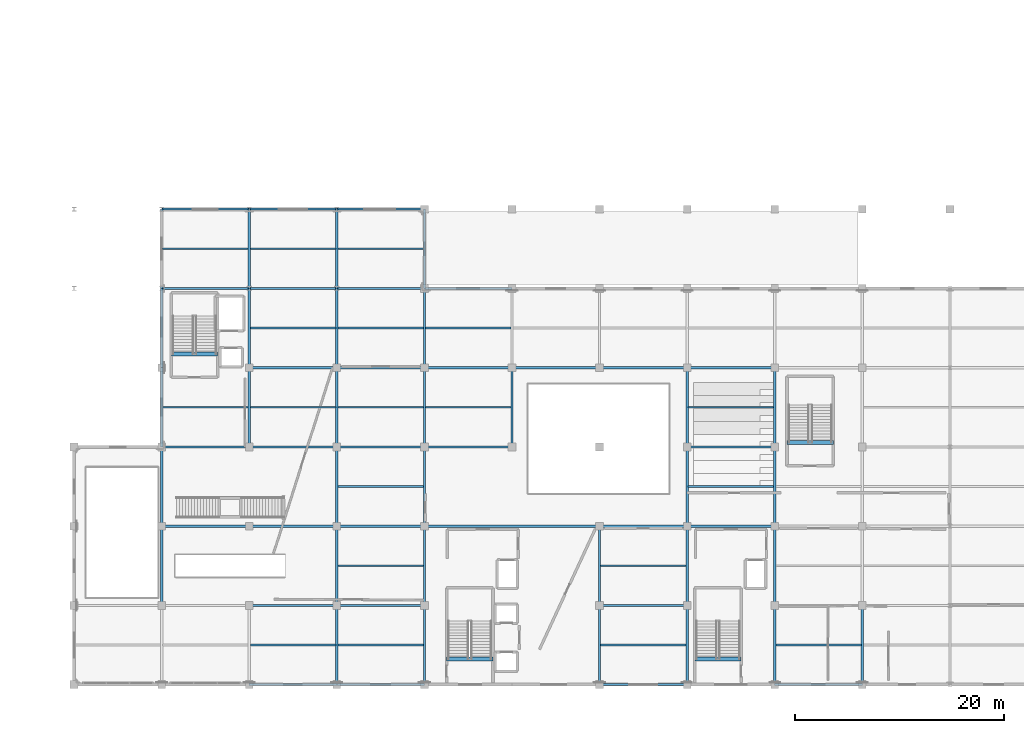
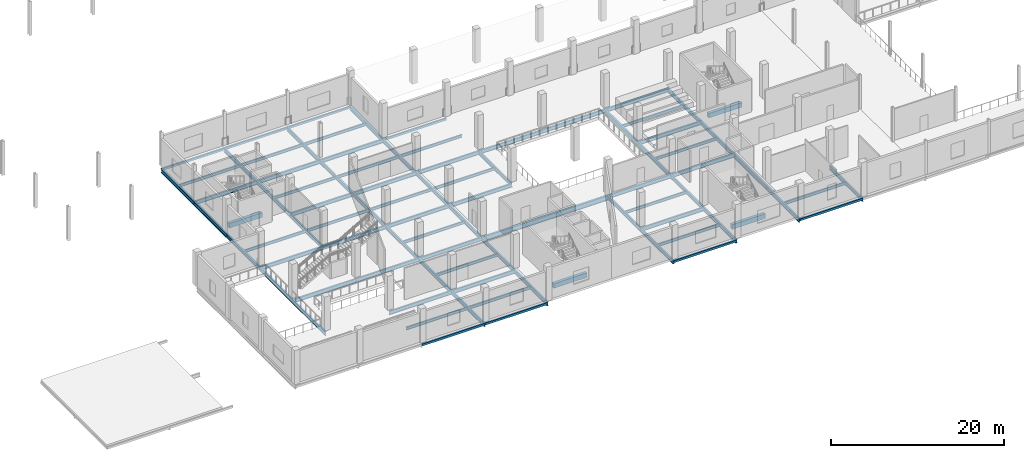
# One storey, part 16 of 51: 86 beams.
"""IFC4 building model written with IfcOpenShell, lengths in metres."""

import ifcopenshell
import ifcopenshell.guid

model = None  # the IFC model being written
_history = None  # IfcOwnerHistory: only IFC2X3 demands one
_inside = {}  # id of a spatial element -> (the spatial element, [elements in it])
_under = {}  # id of a project, library or spatial element -> (it, [spatial elements below it])
_declared = {}  # id of a project -> (the project, [libraries it declares])
_typed = {}  # id of a type object -> (the type object, [elements of that type])
_made_of = {}  # id of a material, layer set ... -> (it, [elements and type objects made of it])


def new_model(schema):
    """Start an empty IFC model of exactly this schema.

    Asked for "IFC4X3", IfcOpenShell would pick the latest addendum, in which some entities
    have other attributes; the version numbers below select the first issue.
    IFC2X3 requires an IfcOwnerHistory on every rooted entity: one is made here for all.
    """
    global model, _history
    if schema == "IFC4X3":
        model = ifcopenshell.file(schema_version=(4, 3, 0, 0))
    else:
        model = ifcopenshell.file(schema=schema)
    _inside.clear()
    _under.clear()
    _declared.clear()
    _typed.clear()
    _made_of.clear()
    _history = None
    if model.schema == "IFC2X3":
        org = make("IfcOrganization", Name="unknown")
        user = make(
            "IfcPersonAndOrganization",
            ThePerson=make("IfcPerson", FamilyName="unknown"),
            TheOrganization=org,
        )
        app = make(
            "IfcApplication",
            ApplicationDeveloper=org,
            Version="unknown",
            ApplicationFullName="unknown",
            ApplicationIdentifier="unknown",
        )
        _history = make(
            "IfcOwnerHistory",
            OwningUser=user,
            OwningApplication=app,
            ChangeAction="ADDED",
            CreationDate=0,
        )
    return model


def make(cls, **values):
    """One entity of the class cls with the attributes given. An attribute that is None is left unset."""
    return model.create_entity(
        cls, **{name: value for name, value in values.items() if value is not None}
    )


def rooted(cls, **values):
    """An entity with a GlobalId (a new one), such as an element, a storey or a relation."""
    return make(cls, GlobalId=ifcopenshell.guid.new(), OwnerHistory=_history, **values)


def si_unit(unit_type, name, prefix=None):
    """IfcSIUnit, for example si_unit("LENGTHUNIT", "METRE", prefix="MILLI")."""
    return make("IfcSIUnit", UnitType=unit_type, Prefix=prefix, Name=name)


def assignment(units):
    """IfcUnitAssignment: the units of a project."""
    return None if units is None else make("IfcUnitAssignment", Units=units)


def point(xyz):
    """IfcCartesianPoint."""
    return None if xyz is None else make("IfcCartesianPoint", Coordinates=xyz)


def direction(xyz):
    """IfcDirection."""
    return None if xyz is None else make("IfcDirection", DirectionRatios=xyz)


def frame(location, z_axis=None, x_axis=None):
    """IfcAxis2Placement3D, a coordinate frame: its origin and axes. An axis left out is left unset."""
    return make(
        "IfcAxis2Placement3D",
        Location=point(location),
        Axis=direction(z_axis),
        RefDirection=direction(x_axis),
    )


def frame_2d(location, x_axis=None):
    """IfcAxis2Placement2D, a coordinate frame in the plane: its origin and x axis."""
    return make(
        "IfcAxis2Placement2D", Location=point(location), RefDirection=direction(x_axis)
    )


def origin():
    """The frame at (0, 0, 0) with its axes left unset."""
    return frame((0.0, 0.0, 0.0))


def origin_2d():
    """The frame at (0, 0) in the plane with its x axis left unset."""
    return frame_2d((0.0, 0.0))


def place(relative_to, where):
    """IfcLocalPlacement: puts the frame where relative to a parent placement (None: the world)."""
    return make(
        "IfcLocalPlacement", PlacementRelTo=relative_to, RelativePlacement=where
    )


def context(
    kind, dimensions, precision=None, world=None, true_north=None, identifier=None
):
    """IfcGeometricRepresentationContext, for example the 3D "Model" context."""
    return make(
        "IfcGeometricRepresentationContext",
        ContextIdentifier=identifier,
        ContextType=kind,
        CoordinateSpaceDimension=dimensions,
        Precision=precision,
        WorldCoordinateSystem=world,
        TrueNorth=true_north,
    )


def subcontext(parent, identifier, kind, view, scale=None):
    """IfcGeometricRepresentationSubContext, for example "Body" below "Model"."""
    return make(
        "IfcGeometricRepresentationSubContext",
        ContextIdentifier=identifier,
        ContextType=kind,
        ParentContext=parent,
        TargetScale=scale,
        TargetView=view,
    )


def project(units=None, contexts=None):
    """IfcProject with its units and contexts."""
    return rooted(
        "IfcProject",
        Name="project",
        RepresentationContexts=contexts,
        UnitsInContext=assignment(units),
    )


def spatial(cls, under=None, at=None, **own):
    """A site, building, storey or space (cls), placed at a placement, below another one or the project."""
    s = rooted(cls, ObjectPlacement=at, **own)
    if under is not None:
        _under.setdefault(under.id(), (under, []))[1].append(s)
    return s


def profile(cls, at=None, kind="AREA", **sizes):
    """A parametric profile (cls). Its sizes go by their IFC names, for example OverallWidth=200.0."""
    return make(cls, ProfileType=kind, Position=at, **sizes)


def rectangle(**sizes):
    """IfcRectangleProfileDef."""
    return profile("IfcRectangleProfileDef", **sizes)


def hollow_rectangle(**sizes):
    """IfcRectangleHollowProfileDef."""
    return profile("IfcRectangleHollowProfileDef", **sizes)


def i_section(**sizes):
    """IfcIShapeProfileDef."""
    return profile("IfcIShapeProfileDef", **sizes)


def extrude(swept, where, along, depth):
    """IfcExtrudedAreaSolid: the profile swept, set in the frame where, extruded along a direction by depth."""
    return make(
        "IfcExtrudedAreaSolid",
        SweptArea=swept,
        Position=where,
        ExtrudedDirection=direction(along),
        Depth=depth,
    )


def shape(context_of_items, identifier, shape_type, items):
    """IfcShapeRepresentation: the items that make up one representation, for example the "Body"."""
    return make(
        "IfcShapeRepresentation",
        ContextOfItems=context_of_items,
        RepresentationIdentifier=identifier,
        RepresentationType=shape_type,
        Items=items,
    )


def material(Name=None, Category=None):
    """IfcMaterial."""
    return make("IfcMaterial", Name=Name, Category=Category)


def material_profile(
    of_material, cross_section, Name=None, Category=None, Priority=None
):
    """IfcMaterialProfile: a cross section and its material."""
    return make(
        "IfcMaterialProfile",
        Name=Name,
        Material=of_material,
        Profile=cross_section,
        Priority=Priority,
        Category=Category,
    )


def profile_set(profiles, Name=None, composite=None):
    """IfcMaterialProfileSet."""
    return make(
        "IfcMaterialProfileSet",
        Name=Name,
        MaterialProfiles=profiles,
        CompositeProfile=composite,
    )


def made_of(thing, what):
    """Note that an element or type object is made of a material, layer set ...; save() writes the relation."""
    if what is not None:
        _made_of.setdefault(what.id(), (what, []))[1].append(thing)
    return thing


def type_object(cls, material=None, **own):
    """A type object (cls), such as IfcWallType, which elements share."""
    return made_of(rooted(cls, **own), material)


def element(
    cls,
    number,
    at=None,
    inside=None,
    cuts=None,
    type_object=None,
    material=None,
    context=None,
    identifier="Body",
    shape_type=None,
    held_by="IfcProductDefinitionShape",
    body=None,
    shapes=None,
    **own,
):
    """One element of the class cls, such as IfcWall. Its Tag is "e" and its number.

    at: its placement. inside: the storey or other place that contains it. cuts: it is an
    opening in that element (IfcRelVoidsElement). A single representation is given by context,
    identifier, shape_type and body (its items); several are given by shapes. held_by: the class
    of the entity that holds the representations. save() writes the other relations.
    """
    e = rooted(cls, Tag="e%d" % number, ObjectPlacement=at, **own)
    if body is not None:
        shapes = [shape(context, identifier, shape_type, body)]
    if shapes is not None:
        e.Representation = make(held_by, Representations=shapes)
    if inside is not None:
        _inside.setdefault(inside.id(), (inside, []))[1].append(e)
    if cuts is not None:
        rooted(
            "IfcRelVoidsElement", RelatingBuildingElement=cuts, RelatedOpeningElement=e
        )
    if type_object is not None:
        _typed.setdefault(type_object.id(), (type_object, []))[1].append(e)
    return made_of(e, material)


def aggregate(whole, parts):
    """IfcRelAggregates: a whole, such as a stair, and the parts it consists of."""
    return rooted("IfcRelAggregates", RelatingObject=whole, RelatedObjects=parts)


def save(model, path):
    """Write the relations noted so far, then the file.

    IfcRelAggregates (storeys below a building ...), IfcRelContainedInSpatialStructure (elements
    in a storey), IfcRelDefinesByType, IfcRelAssociatesMaterial and IfcRelDeclares: one each for
    every whole, place, type object, material and project.
    """
    for whole, parts in _under.values():
        aggregate(whole, parts)
    for where, things in _inside.values():
        rooted(
            "IfcRelContainedInSpatialStructure",
            RelatedElements=things,
            RelatingStructure=where,
        )
    for kind, things in _typed.values():
        rooted("IfcRelDefinesByType", RelatedObjects=things, RelatingType=kind)
    for what, things in _made_of.values():
        rooted("IfcRelAssociatesMaterial", RelatedObjects=things, RelatingMaterial=what)
    for by, libraries in _declared.values():
        rooted("IfcRelDeclares", RelatingContext=by, RelatedDefinitions=libraries)
    model.write(path)


model = new_model("IFC4")

# Units and contexts
model_context = context("Model", 3, precision=1e-05, world=origin(), true_north=direction((0.0, 1.0)))
body_context = subcontext(model_context, "Body", "Model", "MODEL_VIEW")
ifc_project = project(units=[si_unit("LENGTHUNIT", "METRE"), si_unit("AREAUNIT", "SQUARE_METRE"), si_unit("VOLUMEUNIT", "CUBIC_METRE"), si_unit("PLANEANGLEUNIT", "RADIAN"), si_unit("MASSUNIT", "GRAM", prefix="KILO")], contexts=[model_context])

# Site, building, storey
site_placement = place(None, origin())
site = spatial("IfcSite", under=ifc_project, at=site_placement, CompositionType="ELEMENT")
building_placement = place(site_placement, origin())
building = spatial("IfcBuilding", under=site, at=building_placement, Name="Zuvorla Pavilion Media Centre", CompositionType="ELEMENT")
storey_placement = place(building_placement, frame((0.0, 0.0, 4.800048828125)))
storey = spatial("IfcBuildingStorey", under=building, at=storey_placement, Name="L01", CompositionType="ELEMENT", Elevation=4.800048828125)

# Beams
ifc_material_1 = material(Name="Concrete C40/50", Category="concrete")
ifc_material_profile_1 = material_profile(ifc_material_1, rectangle(XDim=0.39990234375, YDim=0.64990234375, at=origin_2d()), Name="RC 400x650")
ifc_profile_set_1 = profile_set([ifc_material_profile_1], Name="Concrete C40/50")
beam_type_1 = type_object("IfcBeamType", Name="BM-RC-650", PredefinedType="BEAM", material=ifc_profile_set_1)
beam_1_placement = place(storey_placement, frame((68.929931640625, 8.469970703125, -0.323974609375), z_axis=(1.0, 0.0, 0.0), x_axis=(0.0, 1.0, 0.0)))
element("IfcBeam", 1, at=beam_1_placement, inside=storey, type_object=beam_type_1, Name="L01 ST-01 landing trimmer beam", PredefinedType="BEAM", context=body_context, shape_type="SweptSolid", body=[
    extrude(rectangle(XDim=0.39990234375, YDim=0.64990234375, at=origin_2d()), origin(), (0.0, 0.0, 1.0), 4.440185546875),
])
for number, where, z_axis, x_axis, name in (
    (2, (92.72998046875, 8.469970703125, -0.323974609375), (1.0, 0.0, 0.0), (0.0, 1.0, 0.0), "L01 ST-02 landing trimmer beam"),
    (3, (42.530029296875, 37.719970703125, -0.323974609375), (1.0, 0.0, 0.0), (0.0, 1.0, 0.0), "L01 ST-03 landing trimmer beam"),
    (4, (101.580078125, 29.219970703125, -0.323974609375), (1.0, 0.0, 0.0), (0.0, 1.0, 0.0), "L01 ST-04 landing trimmer beam"),
):
    element("IfcBeam", number, at=place(storey_placement, frame(where, z_axis=z_axis, x_axis=x_axis)), inside=storey, type_object=beam_type_1, Name=name, PredefinedType="BEAM", context=body_context, shape_type="SweptSolid", body=[
        extrude(rectangle(XDim=0.39990234375, YDim=0.64990234375, at=origin_2d()), origin(), (0.0, 0.0, 1.0), 4.43994140625),
    ])
ifc_material_2 = material(Name="Steel S355", Category="steel")
ifc_material_profile_2 = material_profile(ifc_material_2, hollow_rectangle(XDim=0.199951171875, YDim=0.300048828125, WallThickness=0.012451171875, at=origin_2d()), Name="RHS 300x200x12.5")
ifc_profile_set_2 = profile_set([ifc_material_profile_2], Name="Steel S355")
beam_type_2 = type_object("IfcBeamType", Name="BM-SP-RHS300", PredefinedType="SPANDREL", material=ifc_profile_set_2)
beam_2_placement = place(storey_placement, frame((50.0, 6.0, -0.578125), z_axis=(1.0, 0.0, 0.0), x_axis=(0.0, 1.0, 0.0)))
element("IfcBeam", 5, at=beam_2_placement, inside=storey, type_object=beam_type_2, Name="L01 spandrel SP01 435", PredefinedType="SPANDREL", context=body_context, shape_type="SweptSolid", body=[
    extrude(hollow_rectangle(XDim=0.199951171875, YDim=0.300048828125, WallThickness=0.012451171875, at=origin_2d()), origin(), (0.0, 0.0, 1.0), 8.39990234375),
])
beam_3_placement = place(storey_placement, frame((58.39990234375, 6.0, -0.578125), z_axis=(1.0, 0.0, 0.0), x_axis=(0.0, 1.0, 0.0)))
element("IfcBeam", 6, at=beam_3_placement, inside=storey, type_object=beam_type_2, Name="L01 spandrel SP01 436", PredefinedType="SPANDREL", context=body_context, shape_type="SweptSolid", body=[
    extrude(hollow_rectangle(XDim=0.199951171875, YDim=0.300048828125, WallThickness=0.012451171875, at=origin_2d()), origin(), (0.0, 0.0, 1.0), 8.400146484375),
])
beam_4_placement = place(storey_placement, frame((83.60009765625, 6.0, -0.578125), z_axis=(1.0, 0.0, 0.0), x_axis=(0.0, 1.0, 0.0)))
element("IfcBeam", 7, at=beam_4_placement, inside=storey, type_object=beam_type_2, Name="L01 spandrel SP01 437", PredefinedType="SPANDREL", context=body_context, shape_type="SweptSolid", body=[
    extrude(hollow_rectangle(XDim=0.199951171875, YDim=0.300048828125, WallThickness=0.012451171875, at=origin_2d()), origin(), (0.0, 0.0, 1.0), 8.39990234375),
])
beam_5_placement = place(storey_placement, frame((100.39990234375, 6.0, -0.578125), z_axis=(1.0, 0.0, 0.0), x_axis=(0.0, 1.0, 0.0)))
element("IfcBeam", 8, at=beam_5_placement, inside=storey, type_object=beam_type_2, Name="L01 spandrel SP01 438", PredefinedType="SPANDREL", context=body_context, shape_type="SweptSolid", body=[
    extrude(hollow_rectangle(XDim=0.199951171875, YDim=0.300048828125, WallThickness=0.012451171875, at=origin_2d()), origin(), (0.0, 0.0, 1.0), 8.400146484375),
])
for number, where, z_axis, x_axis, name in (
    (9, (66.800048828125, 44.0, -0.578125), (1.0, 0.0, 0.0), (0.0, 1.0, 0.0), "L01 spandrel SP01 502"),
    (10, (41.60009765625, 51.60009765625, -0.578125), (1.0, 0.0, 0.0), (0.0, 1.0, 0.0), "L01 spandrel SP01 513"),
    (11, (50.0, 51.60009765625, -0.578125), (1.0, 0.0, 0.0), (0.0, 1.0, 0.0), "L01 spandrel SP01 514"),
):
    element("IfcBeam", number, at=place(storey_placement, frame(where, z_axis=z_axis, x_axis=x_axis)), inside=storey, type_object=beam_type_2, Name=name, PredefinedType="SPANDREL", context=body_context, shape_type="SweptSolid", body=[
        extrude(hollow_rectangle(XDim=0.199951171875, YDim=0.300048828125, WallThickness=0.012451171875, at=origin_2d()), origin(), (0.0, 0.0, 1.0), 8.39990234375),
    ])
beam_6_placement = place(storey_placement, frame((58.39990234375, 51.60009765625, -0.578125), z_axis=(1.0, 0.0, 0.0), x_axis=(0.0, 1.0, 0.0)))
element("IfcBeam", 12, at=beam_6_placement, inside=storey, type_object=beam_type_2, Name="L01 spandrel SP01 515", PredefinedType="SPANDREL", context=body_context, shape_type="SweptSolid", body=[
    extrude(hollow_rectangle(XDim=0.199951171875, YDim=0.300048828125, WallThickness=0.012451171875, at=origin_2d()), origin(), (0.0, 0.0, 1.0), 8.400146484375),
])
ifc_material_profile_3 = material_profile(ifc_material_2, i_section(OverallWidth=0.1787109375, OverallDepth=0.409423828125, WebThickness=0.0087890625, FlangeThickness=0.014404296875, FilletRadius=0.01025390625, at=origin_2d()), Name="UB 406x178x67")
ifc_profile_set_3 = profile_set([ifc_material_profile_3], Name="Steel S355")
beam_type_3 = type_object("IfcBeamType", Name="BM-UB406", PredefinedType="JOIST", material=ifc_profile_set_3)
for number, where, z_axis, x_axis, name in (
    (13, (41.699951171875, 32.60009765625, -0.6328125), (1.0, 0.0, 0.0), (0.0, 1.0, 0.0), "L01 joist J02 713"),
    (14, (41.699951171875, 47.800048828125, -0.6328125), (1.0, 0.0, 0.0), (0.0, 1.0, 0.0), "L01 joist J02 714"),
    (15, (50.10009765625, 9.800048828125, -0.6328125), (1.0, 0.0, 0.0), (0.0, 1.0, 0.0), "L01 joist J02 715"),
    (16, (50.10009765625, 32.60009765625, -0.6328125), (1.0, 0.0, 0.0), (0.0, 1.0, 0.0), "L01 joist J02 716"),
    (17, (50.10009765625, 40.199951171875, -0.6328125), (1.0, 0.0, 0.0), (0.0, 1.0, 0.0), "L01 joist J02 717"),
    (18, (50.10009765625, 47.800048828125, -0.6328125), (1.0, 0.0, 0.0), (0.0, 1.0, 0.0), "L01 joist J02 718"),
    (19, (58.5, 9.800048828125, -0.6328125), (1.0, 0.0, 0.0), (0.0, 1.0, 0.0), "L01 joist J02 719"),
    (20, (58.5, 17.39990234375, -0.6328125), (1.0, 0.0, 0.0), (0.0, 1.0, 0.0), "L01 joist J02 720"),
    (21, (58.5, 25.0, -0.6328125), (1.0, 0.0, 0.0), (0.0, 1.0, 0.0), "L01 joist J02 721"),
    (22, (58.5, 32.60009765625, -0.6328125), (1.0, 0.0, 0.0), (0.0, 1.0, 0.0), "L01 joist J02 722"),
    (23, (58.5, 40.199951171875, -0.6328125), (1.0, 0.0, 0.0), (0.0, 1.0, 0.0), "L01 joist J02 723"),
    (24, (58.5, 47.800048828125, -0.6328125), (1.0, 0.0, 0.0), (0.0, 1.0, 0.0), "L01 joist J02 724"),
):
    element("IfcBeam", number, at=place(storey_placement, frame(where, z_axis=z_axis, x_axis=x_axis)), inside=storey, type_object=beam_type_3, Name=name, PredefinedType="JOIST", context=body_context, shape_type="SweptSolid", body=[
        extrude(i_section(OverallWidth=0.1787109375, OverallDepth=0.409423828125, WebThickness=0.0087890625, FlangeThickness=0.014404296875, FilletRadius=0.01025390625, at=origin_2d()), origin(), (0.0, 0.0, 1.0), 8.199951171875),
    ])
for number, where, z_axis, x_axis, name in (
    (25, (66.89990234375, 32.60009765625, -0.6328125), (1.0, 0.0, 0.0), (0.0, 1.0, 0.0), "L01 joist J02 725"),
    (26, (66.89990234375, 40.199951171875, -0.6328125), (1.0, 0.0, 0.0), (0.0, 1.0, 0.0), "L01 joist J02 726"),
):
    element("IfcBeam", number, at=place(storey_placement, frame(where, z_axis=z_axis, x_axis=x_axis)), inside=storey, type_object=beam_type_3, Name=name, PredefinedType="JOIST", context=body_context, shape_type="SweptSolid", body=[
        extrude(i_section(OverallWidth=0.1787109375, OverallDepth=0.409423828125, WebThickness=0.0087890625, FlangeThickness=0.014404296875, FilletRadius=0.01025390625, at=origin_2d()), origin(), (0.0, 0.0, 1.0), 8.2001953125),
    ])
for number, where, z_axis, x_axis, name in (
    (27, (83.699951171875, 9.800048828125, -0.6328125), (1.0, 0.0, 0.0), (0.0, 1.0, 0.0), "L01 joist J02 735"),
    (28, (83.699951171875, 17.39990234375, -0.6328125), (1.0, 0.0, 0.0), (0.0, 1.0, 0.0), "L01 joist J02 736"),
    (29, (92.10009765625, 25.0, -0.6328125), (1.0, 0.0, 0.0), (0.0, 1.0, 0.0), "L01 joist J02 740"),
    (30, (92.10009765625, 32.60009765625, -0.6328125), (1.0, 0.0, 0.0), (0.0, 1.0, 0.0), "L01 joist J02 741"),
    (31, (100.5, 9.800048828125, -0.6328125), (1.0, 0.0, 0.0), (0.0, 1.0, 0.0), "L01 joist J02 747"),
):
    element("IfcBeam", number, at=place(storey_placement, frame(where, z_axis=z_axis, x_axis=x_axis)), inside=storey, type_object=beam_type_3, Name=name, PredefinedType="JOIST", context=body_context, shape_type="SweptSolid", body=[
        extrude(i_section(OverallWidth=0.1787109375, OverallDepth=0.409423828125, WebThickness=0.0087890625, FlangeThickness=0.014404296875, FilletRadius=0.01025390625, at=origin_2d()), origin(), (0.0, 0.0, 1.0), 8.199951171875),
    ])
ifc_material_profile_4 = material_profile(ifc_material_2, i_section(OverallWidth=0.2099609375, OverallDepth=0.53662109375, WebThickness=0.0107421875, FlangeThickness=0.017333984375, FilletRadius=0.0126953125, at=origin_2d()), Name="UB 533x210x101")
ifc_profile_set_4 = profile_set([ifc_material_profile_4], Name="Steel S355")
beam_type_4 = type_object("IfcBeamType", Name="BM-UB533", PredefinedType="BEAM", material=ifc_profile_set_4)
beam_7_placement = place(storey_placement, frame((50.0, 13.60009765625, -0.6962890625), z_axis=(1.0, 0.0, 0.0), x_axis=(0.0, 1.0, 0.0)))
element("IfcBeam", 32, at=beam_7_placement, inside=storey, type_object=beam_type_4, Name="L01 beam B08 451", PredefinedType="BEAM", context=body_context, shape_type="SweptSolid", body=[
    extrude(i_section(OverallWidth=0.2099609375, OverallDepth=0.53662109375, WebThickness=0.0107421875, FlangeThickness=0.017333984375, FilletRadius=0.0126953125, at=origin_2d()), origin(), (0.0, 0.0, 1.0), 8.39990234375),
])
beam_8_placement = place(storey_placement, frame((58.39990234375, 13.60009765625, -0.6962890625), z_axis=(1.0, 0.0, 0.0), x_axis=(0.0, 1.0, 0.0)))
element("IfcBeam", 33, at=beam_8_placement, inside=storey, type_object=beam_type_4, Name="L01 beam B08 452", PredefinedType="BEAM", context=body_context, shape_type="SweptSolid", body=[
    extrude(i_section(OverallWidth=0.2099609375, OverallDepth=0.53662109375, WebThickness=0.0107421875, FlangeThickness=0.017333984375, FilletRadius=0.0126953125, at=origin_2d()), origin(), (0.0, 0.0, 1.0), 8.400146484375),
])
for number, where, z_axis, x_axis, name in (
    (34, (83.60009765625, 13.60009765625, -0.6962890625), (1.0, 0.0, 0.0), (0.0, 1.0, 0.0), "L01 beam B08 453"),
    (35, (41.60009765625, 21.199951171875, -0.6962890625), (1.0, 0.0, 0.0), (0.0, 1.0, 0.0), "L01 beam B08 465"),
    (36, (50.0, 21.199951171875, -0.6962890625), (1.0, 0.0, 0.0), (0.0, 1.0, 0.0), "L01 beam B08 466"),
):
    element("IfcBeam", number, at=place(storey_placement, frame(where, z_axis=z_axis, x_axis=x_axis)), inside=storey, type_object=beam_type_4, Name=name, PredefinedType="BEAM", context=body_context, shape_type="SweptSolid", body=[
        extrude(i_section(OverallWidth=0.2099609375, OverallDepth=0.53662109375, WebThickness=0.0107421875, FlangeThickness=0.017333984375, FilletRadius=0.0126953125, at=origin_2d()), origin(), (0.0, 0.0, 1.0), 8.39990234375),
    ])
beam_9_placement = place(storey_placement, frame((58.39990234375, 21.199951171875, -0.6962890625), z_axis=(1.0, 0.0, 0.0), x_axis=(0.0, 1.0, 0.0)))
element("IfcBeam", 37, at=beam_9_placement, inside=storey, type_object=beam_type_4, Name="L01 beam B08 467", PredefinedType="BEAM", context=body_context, shape_type="SweptSolid", body=[
    extrude(i_section(OverallWidth=0.2099609375, OverallDepth=0.53662109375, WebThickness=0.0107421875, FlangeThickness=0.017333984375, FilletRadius=0.0126953125, at=origin_2d()), origin(), (0.0, 0.0, 1.0), 8.400146484375),
])
for number, where, z_axis, x_axis, name in (
    (38, (83.60009765625, 21.199951171875, -0.6962890625), (1.0, 0.0, 0.0), (0.0, 1.0, 0.0), "L01 beam B08 469"),
    (39, (92.0, 21.199951171875, -0.6962890625), (1.0, 0.0, 0.0), (0.0, 1.0, 0.0), "L01 beam B08 470"),
    (40, (41.60009765625, 28.800048828125, -0.6962890625), (1.0, 0.0, 0.0), (0.0, 1.0, 0.0), "L01 beam B08 478"),
    (41, (50.0, 28.800048828125, -0.6962890625), (1.0, 0.0, 0.0), (0.0, 1.0, 0.0), "L01 beam B08 479"),
):
    element("IfcBeam", number, at=place(storey_placement, frame(where, z_axis=z_axis, x_axis=x_axis)), inside=storey, type_object=beam_type_4, Name=name, PredefinedType="BEAM", context=body_context, shape_type="SweptSolid", body=[
        extrude(i_section(OverallWidth=0.2099609375, OverallDepth=0.53662109375, WebThickness=0.0107421875, FlangeThickness=0.017333984375, FilletRadius=0.0126953125, at=origin_2d()), origin(), (0.0, 0.0, 1.0), 8.39990234375),
    ])
beam_10_placement = place(storey_placement, frame((58.39990234375, 28.800048828125, -0.6962890625), z_axis=(1.0, 0.0, 0.0), x_axis=(0.0, 1.0, 0.0)))
element("IfcBeam", 42, at=beam_10_placement, inside=storey, type_object=beam_type_4, Name="L01 beam B08 480", PredefinedType="BEAM", context=body_context, shape_type="SweptSolid", body=[
    extrude(i_section(OverallWidth=0.2099609375, OverallDepth=0.53662109375, WebThickness=0.0107421875, FlangeThickness=0.017333984375, FilletRadius=0.0126953125, at=origin_2d()), origin(), (0.0, 0.0, 1.0), 8.400146484375),
])
for number, where, z_axis, x_axis, name in (
    (43, (66.800048828125, 28.800048828125, -0.6962890625), (1.0, 0.0, 0.0), (0.0, 1.0, 0.0), "L01 beam B08 481"),
    (44, (92.0, 28.800048828125, -0.6962890625), (1.0, 0.0, 0.0), (0.0, 1.0, 0.0), "L01 beam B08 482"),
    (45, (50.0, 36.39990234375, -0.6962890625), (1.0, 0.0, 0.0), (0.0, 1.0, 0.0), "L01 beam B08 486"),
):
    element("IfcBeam", number, at=place(storey_placement, frame(where, z_axis=z_axis, x_axis=x_axis)), inside=storey, type_object=beam_type_4, Name=name, PredefinedType="BEAM", context=body_context, shape_type="SweptSolid", body=[
        extrude(i_section(OverallWidth=0.2099609375, OverallDepth=0.53662109375, WebThickness=0.0107421875, FlangeThickness=0.017333984375, FilletRadius=0.0126953125, at=origin_2d()), origin(), (0.0, 0.0, 1.0), 8.39990234375),
    ])
beam_11_placement = place(storey_placement, frame((58.39990234375, 36.39990234375, -0.6962890625), z_axis=(1.0, 0.0, 0.0), x_axis=(0.0, 1.0, 0.0)))
element("IfcBeam", 46, at=beam_11_placement, inside=storey, type_object=beam_type_4, Name="L01 beam B08 487", PredefinedType="BEAM", context=body_context, shape_type="SweptSolid", body=[
    extrude(i_section(OverallWidth=0.2099609375, OverallDepth=0.53662109375, WebThickness=0.0107421875, FlangeThickness=0.017333984375, FilletRadius=0.0126953125, at=origin_2d()), origin(), (0.0, 0.0, 1.0), 8.400146484375),
])
beam_12_placement = place(storey_placement, frame((66.800048828125, 36.39990234375, -0.6962890625), z_axis=(1.0, 0.0, 0.0), x_axis=(0.0, 1.0, 0.0)))
element("IfcBeam", 47, at=beam_12_placement, inside=storey, type_object=beam_type_4, Name="L01 beam B08 488", PredefinedType="BEAM", context=body_context, shape_type="SweptSolid", body=[
    extrude(i_section(OverallWidth=0.2099609375, OverallDepth=0.53662109375, WebThickness=0.0107421875, FlangeThickness=0.017333984375, FilletRadius=0.0126953125, at=origin_2d()), origin(), (0.0, 0.0, 1.0), 8.39990234375),
])
beam_13_placement = place(storey_placement, frame((75.199951171875, 36.39990234375, -0.6962890625), z_axis=(1.0, 0.0, 0.0), x_axis=(0.0, 1.0, 0.0)))
element("IfcBeam", 48, at=beam_13_placement, inside=storey, type_object=beam_type_4, Name="L01 beam B08 489", PredefinedType="BEAM", context=body_context, shape_type="SweptSolid", body=[
    extrude(i_section(OverallWidth=0.2099609375, OverallDepth=0.53662109375, WebThickness=0.0107421875, FlangeThickness=0.017333984375, FilletRadius=0.0126953125, at=origin_2d()), origin(), (0.0, 0.0, 1.0), 8.400146484375),
])
for number, where, z_axis, x_axis, name in (
    (49, (83.60009765625, 36.39990234375, -0.6962890625), (1.0, 0.0, 0.0), (0.0, 1.0, 0.0), "L01 beam B08 490"),
    (50, (92.0, 36.39990234375, -0.6962890625), (1.0, 0.0, 0.0), (0.0, 1.0, 0.0), "L01 beam B08 491"),
    (51, (41.60009765625, 44.0, -0.6962890625), (1.0, 0.0, 0.0), (0.0, 1.0, 0.0), "L01 beam B08 499"),
    (52, (50.0, 44.0, -0.6962890625), (1.0, 0.0, 0.0), (0.0, 1.0, 0.0), "L01 beam B08 500"),
):
    element("IfcBeam", number, at=place(storey_placement, frame(where, z_axis=z_axis, x_axis=x_axis)), inside=storey, type_object=beam_type_4, Name=name, PredefinedType="BEAM", context=body_context, shape_type="SweptSolid", body=[
        extrude(i_section(OverallWidth=0.2099609375, OverallDepth=0.53662109375, WebThickness=0.0107421875, FlangeThickness=0.017333984375, FilletRadius=0.0126953125, at=origin_2d()), origin(), (0.0, 0.0, 1.0), 8.39990234375),
    ])
beam_14_placement = place(storey_placement, frame((58.39990234375, 44.0, -0.6962890625), z_axis=(1.0, 0.0, 0.0), x_axis=(0.0, 1.0, 0.0)))
element("IfcBeam", 53, at=beam_14_placement, inside=storey, type_object=beam_type_4, Name="L01 beam B08 501", PredefinedType="BEAM", context=body_context, shape_type="SweptSolid", body=[
    extrude(i_section(OverallWidth=0.2099609375, OverallDepth=0.53662109375, WebThickness=0.0107421875, FlangeThickness=0.017333984375, FilletRadius=0.0126953125, at=origin_2d()), origin(), (0.0, 0.0, 1.0), 8.400146484375),
])
beam_15_placement = place(storey_placement, frame((41.60009765625, 13.60009765625, -0.6962890625), z_axis=(0.0, 1.0, 0.0), x_axis=(-1.0, 0.0, 0.0)))
element("IfcBeam", 54, at=beam_15_placement, inside=storey, type_object=beam_type_4, Name="L01 beam B08 589", PredefinedType="BEAM", context=body_context, shape_type="SweptSolid", body=[
    extrude(i_section(OverallWidth=0.2099609375, OverallDepth=0.53662109375, WebThickness=0.0107421875, FlangeThickness=0.017333984375, FilletRadius=0.0126953125, at=origin_2d()), origin(), (0.0, 0.0, 1.0), 7.599853515625),
])
beam_16_placement = place(storey_placement, frame((41.60009765625, 21.199951171875, -0.6962890625), z_axis=(0.0, 1.0, 0.0), x_axis=(-1.0, 0.0, 0.0)))
element("IfcBeam", 55, at=beam_16_placement, inside=storey, type_object=beam_type_4, Name="L01 beam B08 590", PredefinedType="BEAM", context=body_context, shape_type="SweptSolid", body=[
    extrude(i_section(OverallWidth=0.2099609375, OverallDepth=0.53662109375, WebThickness=0.0107421875, FlangeThickness=0.017333984375, FilletRadius=0.0126953125, at=origin_2d()), origin(), (0.0, 0.0, 1.0), 7.60009765625),
])
beam_17_placement = place(storey_placement, frame((41.60009765625, 28.800048828125, -0.6962890625), z_axis=(0.0, 1.0, 0.0), x_axis=(-1.0, 0.0, 0.0)))
element("IfcBeam", 56, at=beam_17_placement, inside=storey, type_object=beam_type_4, Name="L01 beam B08 591", PredefinedType="BEAM", context=body_context, shape_type="SweptSolid", body=[
    extrude(i_section(OverallWidth=0.2099609375, OverallDepth=0.53662109375, WebThickness=0.0107421875, FlangeThickness=0.017333984375, FilletRadius=0.0126953125, at=origin_2d()), origin(), (0.0, 0.0, 1.0), 7.599853515625),
])
for number, where, z_axis, x_axis, name in (
    (57, (41.60009765625, 36.39990234375, -0.6962890625), (0.0, 1.0, 0.0), (-1.0, 0.0, 0.0), "L01 beam B08 592"),
    (58, (41.60009765625, 44.0, -0.6962890625), (0.0, 1.0, 0.0), (-1.0, 0.0, 0.0), "L01 beam B08 593"),
):
    element("IfcBeam", number, at=place(storey_placement, frame(where, z_axis=z_axis, x_axis=x_axis)), inside=storey, type_object=beam_type_4, Name=name, PredefinedType="BEAM", context=body_context, shape_type="SweptSolid", body=[
        extrude(i_section(OverallWidth=0.2099609375, OverallDepth=0.53662109375, WebThickness=0.0107421875, FlangeThickness=0.017333984375, FilletRadius=0.0126953125, at=origin_2d()), origin(), (0.0, 0.0, 1.0), 7.60009765625),
    ])
beam_18_placement = place(storey_placement, frame((50.0, 28.800048828125, -0.6962890625), z_axis=(0.0, 1.0, 0.0), x_axis=(-1.0, 0.0, 0.0)))
element("IfcBeam", 59, at=beam_18_placement, inside=storey, type_object=beam_type_4, Name="L01 beam B08 599", PredefinedType="BEAM", context=body_context, shape_type="SweptSolid", body=[
    extrude(i_section(OverallWidth=0.2099609375, OverallDepth=0.53662109375, WebThickness=0.0107421875, FlangeThickness=0.017333984375, FilletRadius=0.0126953125, at=origin_2d()), origin(), (0.0, 0.0, 1.0), 7.599853515625),
])
for number, where, z_axis, x_axis, name in (
    (60, (50.0, 36.39990234375, -0.6962890625), (0.0, 1.0, 0.0), (-1.0, 0.0, 0.0), "L01 beam B08 600"),
    (61, (50.0, 44.0, -0.6962890625), (0.0, 1.0, 0.0), (-1.0, 0.0, 0.0), "L01 beam B08 601"),
    (62, (58.39990234375, 6.0, -0.6962890625), (0.0, 1.0, 0.0), (-1.0, 0.0, 0.0), "L01 beam B08 602"),
):
    element("IfcBeam", number, at=place(storey_placement, frame(where, z_axis=z_axis, x_axis=x_axis)), inside=storey, type_object=beam_type_4, Name=name, PredefinedType="BEAM", context=body_context, shape_type="SweptSolid", body=[
        extrude(i_section(OverallWidth=0.2099609375, OverallDepth=0.53662109375, WebThickness=0.0107421875, FlangeThickness=0.017333984375, FilletRadius=0.0126953125, at=origin_2d()), origin(), (0.0, 0.0, 1.0), 7.60009765625),
    ])
beam_19_placement = place(storey_placement, frame((58.39990234375, 13.60009765625, -0.6962890625), z_axis=(0.0, 1.0, 0.0), x_axis=(-1.0, 0.0, 0.0)))
element("IfcBeam", 63, at=beam_19_placement, inside=storey, type_object=beam_type_4, Name="L01 beam B08 603", PredefinedType="BEAM", context=body_context, shape_type="SweptSolid", body=[
    extrude(i_section(OverallWidth=0.2099609375, OverallDepth=0.53662109375, WebThickness=0.0107421875, FlangeThickness=0.017333984375, FilletRadius=0.0126953125, at=origin_2d()), origin(), (0.0, 0.0, 1.0), 7.599853515625),
])
beam_20_placement = place(storey_placement, frame((58.39990234375, 21.199951171875, -0.6962890625), z_axis=(0.0, 1.0, 0.0), x_axis=(-1.0, 0.0, 0.0)))
element("IfcBeam", 64, at=beam_20_placement, inside=storey, type_object=beam_type_4, Name="L01 beam B08 604", PredefinedType="BEAM", context=body_context, shape_type="SweptSolid", body=[
    extrude(i_section(OverallWidth=0.2099609375, OverallDepth=0.53662109375, WebThickness=0.0107421875, FlangeThickness=0.017333984375, FilletRadius=0.0126953125, at=origin_2d()), origin(), (0.0, 0.0, 1.0), 7.60009765625),
])
beam_21_placement = place(storey_placement, frame((58.39990234375, 28.800048828125, -0.6962890625), z_axis=(0.0, 1.0, 0.0), x_axis=(-1.0, 0.0, 0.0)))
element("IfcBeam", 65, at=beam_21_placement, inside=storey, type_object=beam_type_4, Name="L01 beam B08 605", PredefinedType="BEAM", context=body_context, shape_type="SweptSolid", body=[
    extrude(i_section(OverallWidth=0.2099609375, OverallDepth=0.53662109375, WebThickness=0.0107421875, FlangeThickness=0.017333984375, FilletRadius=0.0126953125, at=origin_2d()), origin(), (0.0, 0.0, 1.0), 7.599853515625),
])
for number, where, z_axis, x_axis, name in (
    (66, (58.39990234375, 36.39990234375, -0.6962890625), (0.0, 1.0, 0.0), (-1.0, 0.0, 0.0), "L01 beam B08 606"),
    (67, (58.39990234375, 44.0, -0.6962890625), (0.0, 1.0, 0.0), (-1.0, 0.0, 0.0), "L01 beam B08 607"),
    (68, (66.800048828125, 6.0, -0.6962890625), (0.0, 1.0, 0.0), (-1.0, 0.0, 0.0), "L01 beam B08 608"),
):
    element("IfcBeam", number, at=place(storey_placement, frame(where, z_axis=z_axis, x_axis=x_axis)), inside=storey, type_object=beam_type_4, Name=name, PredefinedType="BEAM", context=body_context, shape_type="SweptSolid", body=[
        extrude(i_section(OverallWidth=0.2099609375, OverallDepth=0.53662109375, WebThickness=0.0107421875, FlangeThickness=0.017333984375, FilletRadius=0.0126953125, at=origin_2d()), origin(), (0.0, 0.0, 1.0), 7.60009765625),
    ])
beam_22_placement = place(storey_placement, frame((66.800048828125, 13.60009765625, -0.6962890625), z_axis=(0.0, 1.0, 0.0), x_axis=(-1.0, 0.0, 0.0)))
element("IfcBeam", 69, at=beam_22_placement, inside=storey, type_object=beam_type_4, Name="L01 beam B08 609", PredefinedType="BEAM", context=body_context, shape_type="SweptSolid", body=[
    extrude(i_section(OverallWidth=0.2099609375, OverallDepth=0.53662109375, WebThickness=0.0107421875, FlangeThickness=0.017333984375, FilletRadius=0.0126953125, at=origin_2d()), origin(), (0.0, 0.0, 1.0), 7.599853515625),
])
beam_23_placement = place(storey_placement, frame((66.800048828125, 21.199951171875, -0.6962890625), z_axis=(0.0, 1.0, 0.0), x_axis=(-1.0, 0.0, 0.0)))
element("IfcBeam", 70, at=beam_23_placement, inside=storey, type_object=beam_type_4, Name="L01 beam B08 610", PredefinedType="BEAM", context=body_context, shape_type="SweptSolid", body=[
    extrude(i_section(OverallWidth=0.2099609375, OverallDepth=0.53662109375, WebThickness=0.0107421875, FlangeThickness=0.017333984375, FilletRadius=0.0126953125, at=origin_2d()), origin(), (0.0, 0.0, 1.0), 7.60009765625),
])
beam_24_placement = place(storey_placement, frame((66.800048828125, 28.800048828125, -0.6962890625), z_axis=(0.0, 1.0, 0.0), x_axis=(-1.0, 0.0, 0.0)))
element("IfcBeam", 71, at=beam_24_placement, inside=storey, type_object=beam_type_4, Name="L01 beam B08 611", PredefinedType="BEAM", context=body_context, shape_type="SweptSolid", body=[
    extrude(i_section(OverallWidth=0.2099609375, OverallDepth=0.53662109375, WebThickness=0.0107421875, FlangeThickness=0.017333984375, FilletRadius=0.0126953125, at=origin_2d()), origin(), (0.0, 0.0, 1.0), 7.599853515625),
])
for number, where, z_axis, x_axis, name in (
    (72, (66.800048828125, 36.39990234375, -0.6962890625), (0.0, 1.0, 0.0), (-1.0, 0.0, 0.0), "L01 beam B08 612"),
    (73, (66.800048828125, 44.0, -0.6962890625), (0.0, 1.0, 0.0), (-1.0, 0.0, 0.0), "L01 beam B08 613"),
):
    element("IfcBeam", number, at=place(storey_placement, frame(where, z_axis=z_axis, x_axis=x_axis)), inside=storey, type_object=beam_type_4, Name=name, PredefinedType="BEAM", context=body_context, shape_type="SweptSolid", body=[
        extrude(i_section(OverallWidth=0.2099609375, OverallDepth=0.53662109375, WebThickness=0.0107421875, FlangeThickness=0.017333984375, FilletRadius=0.0126953125, at=origin_2d()), origin(), (0.0, 0.0, 1.0), 7.60009765625),
    ])
beam_25_placement = place(storey_placement, frame((75.199951171875, 28.800048828125, -0.6962890625), z_axis=(0.0, 1.0, 0.0), x_axis=(-1.0, 0.0, 0.0)))
element("IfcBeam", 74, at=beam_25_placement, inside=storey, type_object=beam_type_4, Name="L01 beam B08 619", PredefinedType="BEAM", context=body_context, shape_type="SweptSolid", body=[
    extrude(i_section(OverallWidth=0.2099609375, OverallDepth=0.53662109375, WebThickness=0.0107421875, FlangeThickness=0.017333984375, FilletRadius=0.0126953125, at=origin_2d()), origin(), (0.0, 0.0, 1.0), 7.599853515625),
])
beam_26_placement = place(storey_placement, frame((83.60009765625, 6.0, -0.6962890625), z_axis=(0.0, 1.0, 0.0), x_axis=(-1.0, 0.0, 0.0)))
element("IfcBeam", 75, at=beam_26_placement, inside=storey, type_object=beam_type_4, Name="L01 beam B08 626", PredefinedType="BEAM", context=body_context, shape_type="SweptSolid", body=[
    extrude(i_section(OverallWidth=0.2099609375, OverallDepth=0.53662109375, WebThickness=0.0107421875, FlangeThickness=0.017333984375, FilletRadius=0.0126953125, at=origin_2d()), origin(), (0.0, 0.0, 1.0), 7.60009765625),
])
beam_27_placement = place(storey_placement, frame((83.60009765625, 13.60009765625, -0.6962890625), z_axis=(0.0, 1.0, 0.0), x_axis=(-1.0, 0.0, 0.0)))
element("IfcBeam", 76, at=beam_27_placement, inside=storey, type_object=beam_type_4, Name="L01 beam B08 627", PredefinedType="BEAM", context=body_context, shape_type="SweptSolid", body=[
    extrude(i_section(OverallWidth=0.2099609375, OverallDepth=0.53662109375, WebThickness=0.0107421875, FlangeThickness=0.017333984375, FilletRadius=0.0126953125, at=origin_2d()), origin(), (0.0, 0.0, 1.0), 7.599853515625),
])
beam_28_placement = place(storey_placement, frame((92.0, 6.0, -0.6962890625), z_axis=(0.0, 1.0, 0.0), x_axis=(-1.0, 0.0, 0.0)))
element("IfcBeam", 77, at=beam_28_placement, inside=storey, type_object=beam_type_4, Name="L01 beam B08 631", PredefinedType="BEAM", context=body_context, shape_type="SweptSolid", body=[
    extrude(i_section(OverallWidth=0.2099609375, OverallDepth=0.53662109375, WebThickness=0.0107421875, FlangeThickness=0.017333984375, FilletRadius=0.0126953125, at=origin_2d()), origin(), (0.0, 0.0, 1.0), 7.60009765625),
])
beam_29_placement = place(storey_placement, frame((92.0, 13.60009765625, -0.6962890625), z_axis=(0.0, 1.0, 0.0), x_axis=(-1.0, 0.0, 0.0)))
element("IfcBeam", 78, at=beam_29_placement, inside=storey, type_object=beam_type_4, Name="L01 beam B08 632", PredefinedType="BEAM", context=body_context, shape_type="SweptSolid", body=[
    extrude(i_section(OverallWidth=0.2099609375, OverallDepth=0.53662109375, WebThickness=0.0107421875, FlangeThickness=0.017333984375, FilletRadius=0.0126953125, at=origin_2d()), origin(), (0.0, 0.0, 1.0), 7.599853515625),
])
beam_30_placement = place(storey_placement, frame((92.0, 21.199951171875, -0.6962890625), z_axis=(0.0, 1.0, 0.0), x_axis=(-1.0, 0.0, 0.0)))
element("IfcBeam", 79, at=beam_30_placement, inside=storey, type_object=beam_type_4, Name="L01 beam B08 633", PredefinedType="BEAM", context=body_context, shape_type="SweptSolid", body=[
    extrude(i_section(OverallWidth=0.2099609375, OverallDepth=0.53662109375, WebThickness=0.0107421875, FlangeThickness=0.017333984375, FilletRadius=0.0126953125, at=origin_2d()), origin(), (0.0, 0.0, 1.0), 7.60009765625),
])
beam_31_placement = place(storey_placement, frame((92.0, 28.800048828125, -0.6962890625), z_axis=(0.0, 1.0, 0.0), x_axis=(-1.0, 0.0, 0.0)))
element("IfcBeam", 80, at=beam_31_placement, inside=storey, type_object=beam_type_4, Name="L01 beam B08 634", PredefinedType="BEAM", context=body_context, shape_type="SweptSolid", body=[
    extrude(i_section(OverallWidth=0.2099609375, OverallDepth=0.53662109375, WebThickness=0.0107421875, FlangeThickness=0.017333984375, FilletRadius=0.0126953125, at=origin_2d()), origin(), (0.0, 0.0, 1.0), 7.599853515625),
])
beam_32_placement = place(storey_placement, frame((100.39990234375, 6.0, -0.6962890625), z_axis=(0.0, 1.0, 0.0), x_axis=(-1.0, 0.0, 0.0)))
element("IfcBeam", 81, at=beam_32_placement, inside=storey, type_object=beam_type_4, Name="L01 beam B08 641", PredefinedType="BEAM", context=body_context, shape_type="SweptSolid", body=[
    extrude(i_section(OverallWidth=0.2099609375, OverallDepth=0.53662109375, WebThickness=0.0107421875, FlangeThickness=0.017333984375, FilletRadius=0.0126953125, at=origin_2d()), origin(), (0.0, 0.0, 1.0), 7.60009765625),
])
beam_33_placement = place(storey_placement, frame((100.39990234375, 13.60009765625, -0.6962890625), z_axis=(0.0, 1.0, 0.0), x_axis=(-1.0, 0.0, 0.0)))
element("IfcBeam", 82, at=beam_33_placement, inside=storey, type_object=beam_type_4, Name="L01 beam B08 642", PredefinedType="BEAM", context=body_context, shape_type="SweptSolid", body=[
    extrude(i_section(OverallWidth=0.2099609375, OverallDepth=0.53662109375, WebThickness=0.0107421875, FlangeThickness=0.017333984375, FilletRadius=0.0126953125, at=origin_2d()), origin(), (0.0, 0.0, 1.0), 7.599853515625),
])
beam_34_placement = place(storey_placement, frame((100.39990234375, 21.199951171875, -0.6962890625), z_axis=(0.0, 1.0, 0.0), x_axis=(-1.0, 0.0, 0.0)))
element("IfcBeam", 83, at=beam_34_placement, inside=storey, type_object=beam_type_4, Name="L01 beam B08 643", PredefinedType="BEAM", context=body_context, shape_type="SweptSolid", body=[
    extrude(i_section(OverallWidth=0.2099609375, OverallDepth=0.53662109375, WebThickness=0.0107421875, FlangeThickness=0.017333984375, FilletRadius=0.0126953125, at=origin_2d()), origin(), (0.0, 0.0, 1.0), 7.60009765625),
])
beam_35_placement = place(storey_placement, frame((100.39990234375, 28.800048828125, -0.6962890625), z_axis=(0.0, 1.0, 0.0), x_axis=(-1.0, 0.0, 0.0)))
element("IfcBeam", 84, at=beam_35_placement, inside=storey, type_object=beam_type_4, Name="L01 beam B08 644", PredefinedType="BEAM", context=body_context, shape_type="SweptSolid", body=[
    extrude(i_section(OverallWidth=0.2099609375, OverallDepth=0.53662109375, WebThickness=0.0107421875, FlangeThickness=0.017333984375, FilletRadius=0.0126953125, at=origin_2d()), origin(), (0.0, 0.0, 1.0), 7.599853515625),
])
beam_36_placement = place(storey_placement, frame((108.800048828125, 6.0, -0.6962890625), z_axis=(0.0, 1.0, 0.0), x_axis=(-1.0, 0.0, 0.0)))
element("IfcBeam", 85, at=beam_36_placement, inside=storey, type_object=beam_type_4, Name="L01 beam B08 651", PredefinedType="BEAM", context=body_context, shape_type="SweptSolid", body=[
    extrude(i_section(OverallWidth=0.2099609375, OverallDepth=0.53662109375, WebThickness=0.0107421875, FlangeThickness=0.017333984375, FilletRadius=0.0126953125, at=origin_2d()), origin(), (0.0, 0.0, 1.0), 7.60009765625),
])
ifc_material_profile_5 = material_profile(ifc_material_2, i_section(OverallWidth=0.25439453125, OverallDepth=0.6875, WebThickness=0.01318359375, FlangeThickness=0.02099609375, FilletRadius=0.01513671875, at=origin_2d()), Name="UB 686x254x152")
ifc_profile_set_5 = profile_set([ifc_material_profile_5], Name="Steel S355")
beam_type_5 = type_object("IfcBeamType", Name="BM-UB686", PredefinedType="BEAM", material=ifc_profile_set_5)
beam_37_placement = place(storey_placement, frame((66.800048828125, 21.199951171875, -0.771728515625), z_axis=(1.0, 0.0, 0.0), x_axis=(0.0, 1.0, 0.0)))
element("IfcBeam", 86, at=beam_37_placement, inside=storey, type_object=beam_type_5, Name="L01 beam B06 468", PredefinedType="BEAM", context=body_context, shape_type="SweptSolid", body=[
    extrude(i_section(OverallWidth=0.25439453125, OverallDepth=0.6875, WebThickness=0.01318359375, FlangeThickness=0.02099609375, FilletRadius=0.01513671875, at=origin_2d()), origin(), (0.0, 0.0, 1.0), 16.800048828125),
])

save(model, "model.ifc")
